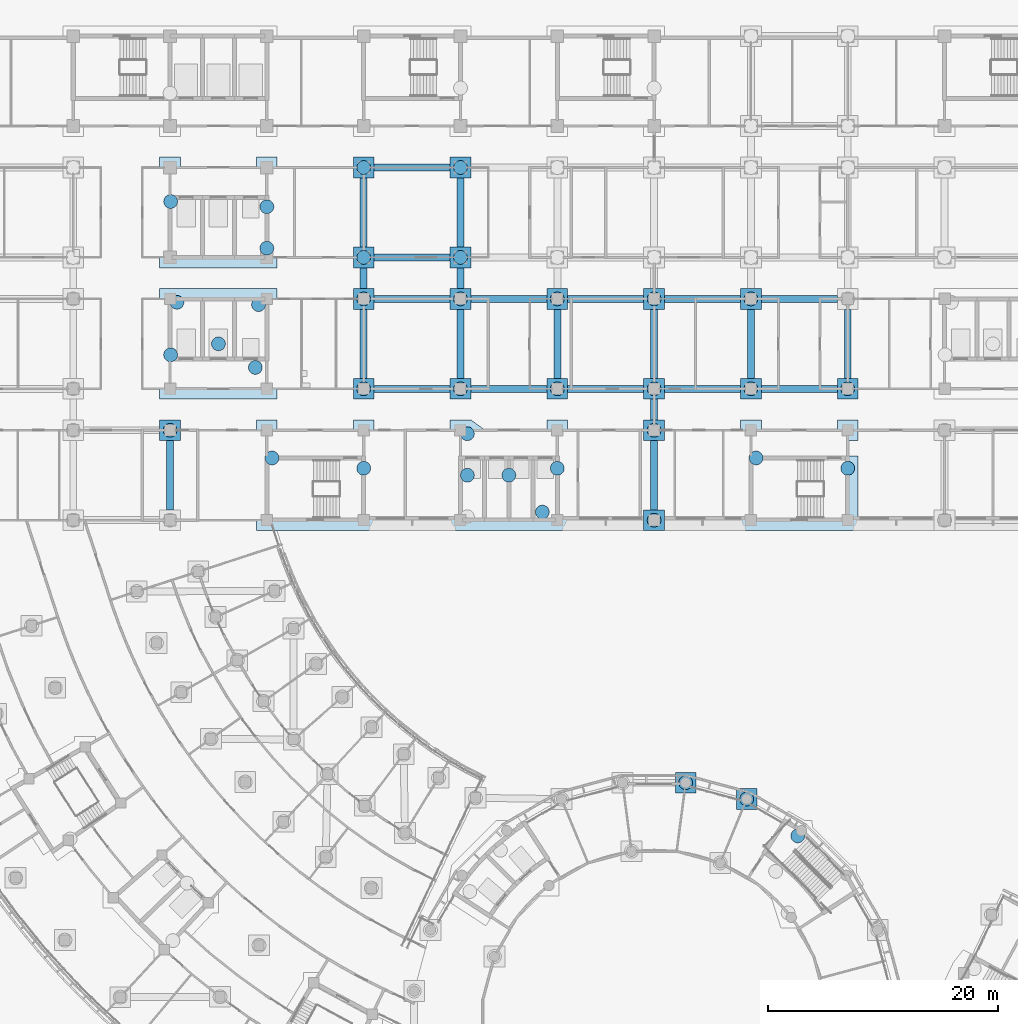
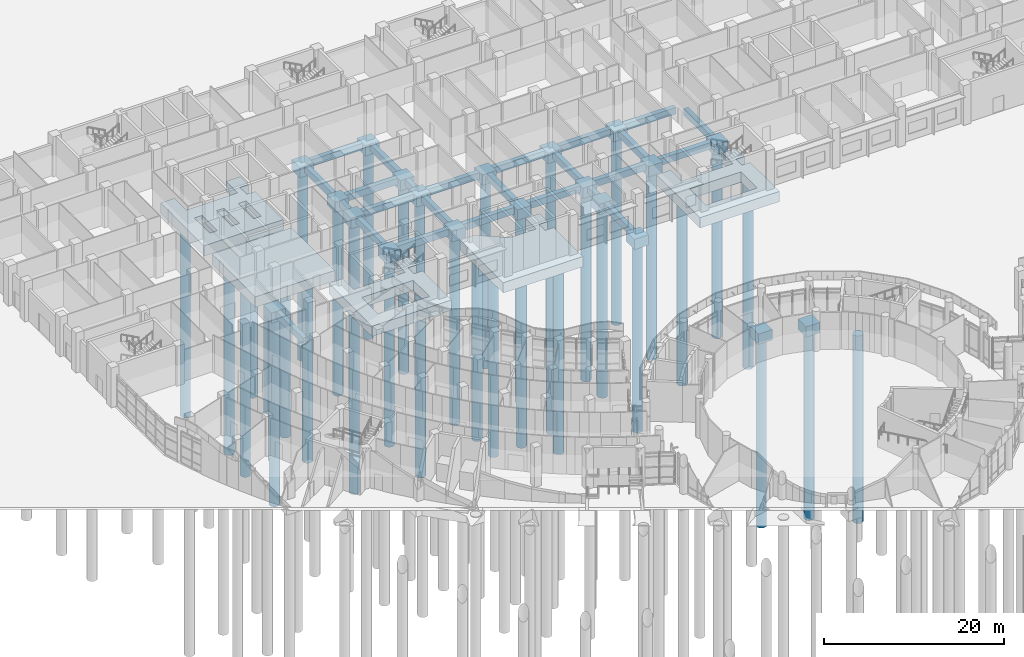
# One storey, part 5 of 146: 50 footings, 38 piles.
"""IFC4 building model written with IfcOpenShell, lengths in metres."""

from ifc_helpers import new_model, si_unit, direction, frame, origin, origin_2d, place, context, subcontext, project, spatial, polyline, rectangle, circle, outline, extrude, material, material_profile, profile_set, type_object, element, save


model = new_model("IFC4")

# Units and contexts
model_context = context("Model", 3, precision=1e-05, world=origin(), true_north=direction((0.0, 1.0)))
body_context = subcontext(model_context, "Body", "Model", "MODEL_VIEW")
ifc_project = project(units=[si_unit("LENGTHUNIT", "METRE"), si_unit("AREAUNIT", "SQUARE_METRE"), si_unit("VOLUMEUNIT", "CUBIC_METRE"), si_unit("PLANEANGLEUNIT", "RADIAN"), si_unit("MASSUNIT", "GRAM", prefix="KILO")], contexts=[model_context])

# Site, building, storey
site_placement = place(None, origin())
site = spatial("IfcSite", under=ifc_project, at=site_placement, CompositionType="ELEMENT")
building_placement = place(site_placement, origin())
building = spatial("IfcBuilding", under=site, at=building_placement, Name="Bougainvillea Quay General Hospital", CompositionType="ELEMENT")
storey_placement = place(building_placement, origin())
storey = spatial("IfcBuildingStorey", under=building, at=storey_placement, Name="L00", CompositionType="ELEMENT", Elevation=0.0)

# Piles
ifc_material_1 = material(Name="Concrete C40", Category="concrete")
ifc_material_profile_1 = material_profile(ifc_material_1, circle(Radius=0.60009765625, at=origin_2d()))
ifc_profile_set_1 = profile_set([ifc_material_profile_1], Name="Concrete C40")
pile_type = type_object("IfcPileType", Name="BORED PILE D1200 C40", PredefinedType="BORED", material=ifc_profile_set_1)
for number, where, z_axis, x_axis, name in (
    (1, (121.666259765625, 90.201904296875, -1.60009765625), (0.0, 0.0, -1.0), (1.0, 0.0, 0.0), "Bored pile 134-03"),
    (2, (117.236083984375, 93.40087890625, -1.60009765625), (0.0, 0.0, -1.0), (1.0, 0.0, 0.0), "Bored pile 146-01"),
    (3, (111.94091796875, 94.820068359375, -1.60009765625), (0.0, 0.0, -1.0), (1.0, 0.0, 0.0), "Bored pile 150-01"),
    (4, (109.199951171875, 117.60009765625, -1.60009765625), (0.0, 0.0, -1.0), (1.0, 0.0, 0.0), "Bored pile 184-01"),
    (5, (99.504638671875, 118.30322265625, -1.60009765625), (0.0, 0.0, -1.0), (1.0, 0.0, 0.0), "Bored pile 191-02"),
    (6, (93.0, 121.5, -1.60009765625), (0.0, 0.0, -1.0), (1.0, 0.0, 0.0), "Bored pile 191-03"),
    (7, (96.60009765625, 121.5, -1.60009765625), (0.0, 0.0, -1.0), (1.0, 0.0, 0.0), "Bored pile 191-04"),
    (8, (100.800048828125, 122.10009765625, -1.60009765625), (0.0, 0.0, -1.0), (1.0, 0.0, 0.0), "Bored pile 191-05"),
    (9, (93.0, 125.10009765625, -1.60009765625), (0.0, 0.0, -1.0), (1.0, 0.0, 0.0), "Bored pile 191-06"),
    (10, (84.0, 122.10009765625, -1.60009765625), (0.0, 0.0, -1.0), (1.0, 0.0, 0.0), "Bored pile 193-01"),
    (11, (76.050048828125, 123.0, -1.60009765625), (0.0, 0.0, -1.0), (1.0, 0.0, 0.0), "Bored pile 193-02"),
    (12, (126.0, 122.10009765625, -1.60009765625), (0.0, 0.0, -1.0), (1.0, 0.0, 0.0), "Bored pile 194-01"),
    (13, (118.050048828125, 123.0, -1.60009765625), (0.0, 0.0, -1.0), (1.0, 0.0, 0.0), "Bored pile 194-02"),
    (14, (67.199951171875, 125.39990234375, -1.60009765625), (0.0, 0.0, -1.0), (1.0, 0.0, 0.0), "Bored pile 198-01"),
    (15, (109.199951171875, 125.39990234375, -1.60009765625), (0.0, 0.0, -1.0), (1.0, 0.0, 0.0), "Bored pile 199-01"),
    (16, (84.0, 129.0, -1.60009765625), (0.0, 0.0, -1.0), (1.0, 0.0, 0.0), "Bored pile 207-01"),
    (17, (92.39990234375, 129.0, -1.60009765625), (0.0, 0.0, -1.0), (1.0, 0.0, 0.0), "Bored pile 208-01"),
    (18, (100.800048828125, 129.0, -1.60009765625), (0.0, 0.0, -1.0), (1.0, 0.0, 0.0), "Bored pile 209-01"),
    (19, (109.199951171875, 129.0, -1.60009765625), (0.0, 0.0, -1.0), (1.0, 0.0, 0.0), "Bored pile 210-01"),
    (20, (117.60009765625, 129.0, -1.60009765625), (0.0, 0.0, -1.0), (1.0, 0.0, 0.0), "Bored pile 211-01"),
    (21, (126.0, 129.0, -1.60009765625), (0.0, 0.0, -1.0), (1.0, 0.0, 0.0), "Bored pile 212-01"),
    (22, (74.60009765625, 130.85009765625, -1.60009765625), (0.0, 0.0, -1.0), (1.0, 0.0, 0.0), "Bored pile 219-01"),
    (23, (67.25, 131.949951171875, -1.60009765625), (0.0, 0.0, -1.0), (1.0, 0.0, 0.0), "Bored pile 219-02"),
    (24, (71.39990234375, 132.89990234375, -1.60009765625), (0.0, 0.0, -1.0), (1.0, 0.0, 0.0), "Bored pile 219-03"),
    (25, (74.878173828125, 136.300048828125, -1.60009765625), (0.0, 0.0, -1.0), (1.0, 0.0, 0.0), "Bored pile 219-04"),
    (26, (67.800048828125, 136.5, -1.60009765625), (0.0, 0.0, -1.0), (1.0, 0.0, 0.0), "Bored pile 219-05"),
    (27, (84.0, 136.800048828125, -1.60009765625), (0.0, 0.0, -1.0), (1.0, 0.0, 0.0), "Bored pile 224-01"),
    (28, (92.39990234375, 136.800048828125, -1.60009765625), (0.0, 0.0, -1.0), (1.0, 0.0, 0.0), "Bored pile 225-01"),
    (29, (100.800048828125, 136.800048828125, -1.60009765625), (0.0, 0.0, -1.0), (1.0, 0.0, 0.0), "Bored pile 226-01"),
    (30, (109.199951171875, 136.800048828125, -1.60009765625), (0.0, 0.0, -1.0), (1.0, 0.0, 0.0), "Bored pile 227-01"),
    (31, (117.60009765625, 136.800048828125, -1.60009765625), (0.0, 0.0, -1.0), (1.0, 0.0, 0.0), "Bored pile 228-01"),
    (32, (84.0, 140.39990234375, -1.60009765625), (0.0, 0.0, -1.0), (1.0, 0.0, 0.0), "Bored pile 239-01"),
    (33, (92.39990234375, 140.39990234375, -1.60009765625), (0.0, 0.0, -1.0), (1.0, 0.0, 0.0), "Bored pile 240-01"),
    (34, (75.60009765625, 141.199951171875, -1.60009765625), (0.0, 0.0, -1.0), (1.0, 0.0, 0.0), "Bored pile 251-01"),
    (35, (75.60009765625, 144.800048828125, -1.60009765625), (0.0, 0.0, -1.0), (1.0, 0.0, 0.0), "Bored pile 251-02"),
    (36, (67.25, 145.25, -1.60009765625), (0.0, 0.0, -1.0), (1.0, 0.0, 0.0), "Bored pile 251-03"),
    (37, (84.0, 148.199951171875, -1.60009765625), (0.0, 0.0, -1.0), (1.0, 0.0, 0.0), "Bored pile 256-01"),
    (38, (92.39990234375, 148.199951171875, -1.60009765625), (0.0, 0.0, -1.0), (1.0, 0.0, 0.0), "Bored pile 257-01"),
):
    element("IfcPile", number, at=place(storey_placement, frame(where, z_axis=z_axis, x_axis=x_axis)), inside=storey, type_object=pile_type, Name=name, PredefinedType="BORED", context=body_context, shape_type="SweptSolid", body=[
        extrude(circle(Radius=0.60009765625, at=origin_2d()), origin(), (0.0, 0.0, 1.0), 25.39990234375),
    ])

# Footings
ifc_material_2 = material(Name="Concrete C35", Category="concrete")
footing_type_1 = type_object("IfcFootingType", Name="PILE CAP 1P D1200 1800x1800x1400", PredefinedType="PILE_CAP", material=ifc_material_2)
footing_1_placement = place(storey_placement, frame((0.0, 0.0, -1.699951171875)))
element("IfcFooting", 39, at=footing_1_placement, inside=storey, type_object=footing_type_1, Name="Pile cap PC1 146", PredefinedType="PILE_CAP", context=body_context, shape_type="SweptSolid", body=[
    extrude(outline(polyline([(116.3359375, 92.5009765625), (118.135986328125, 92.5009765625), (118.135986328125, 94.301025390625), (116.3359375, 94.301025390625), (116.3359375, 92.5009765625)])), origin(), (0.0, 0.0, 1.0), 1.39990234375),
])
footing_2_placement = place(storey_placement, frame((0.0, 0.0, -1.699951171875)))
element("IfcFooting", 40, at=footing_2_placement, inside=storey, type_object=footing_type_1, Name="Pile cap PC1 150", PredefinedType="PILE_CAP", context=body_context, shape_type="SweptSolid", body=[
    extrude(outline(polyline([(111.041015625, 93.919921875), (112.841064453125, 93.919921875), (112.841064453125, 95.719970703125), (111.041015625, 95.719970703125), (111.041015625, 93.919921875)])), origin(), (0.0, 0.0, 1.0), 1.39990234375),
])
footing_3_placement = place(storey_placement, frame((0.0, 0.0, -1.699951171875)))
element("IfcFooting", 41, at=footing_3_placement, inside=storey, type_object=footing_type_1, Name="Pile cap PC1 184", PredefinedType="PILE_CAP", context=body_context, shape_type="SweptSolid", body=[
    extrude(outline(polyline([(108.300048828125, 116.699951171875), (110.10009765625, 116.699951171875), (110.10009765625, 118.5), (108.300048828125, 118.5), (108.300048828125, 116.699951171875)])), origin(), (0.0, 0.0, 1.0), 1.39990234375),
])
footing_4_placement = place(storey_placement, frame((0.0, 0.0, -1.699951171875)))
element("IfcFooting", 42, at=footing_4_placement, inside=storey, type_object=footing_type_1, Name="Pile cap PC1 198", PredefinedType="PILE_CAP", context=body_context, shape_type="SweptSolid", body=[
    extrude(outline(polyline([(66.300048828125, 124.5), (68.10009765625, 124.5), (68.10009765625, 126.300048828125), (66.300048828125, 126.300048828125), (66.300048828125, 124.5)])), origin(), (0.0, 0.0, 1.0), 1.39990234375),
])
footing_5_placement = place(storey_placement, frame((0.0, 0.0, -1.699951171875)))
element("IfcFooting", 43, at=footing_5_placement, inside=storey, type_object=footing_type_1, Name="Pile cap PC1 199", PredefinedType="PILE_CAP", context=body_context, shape_type="SweptSolid", body=[
    extrude(outline(polyline([(108.300048828125, 124.5), (110.10009765625, 124.5), (110.10009765625, 126.300048828125), (108.300048828125, 126.300048828125), (108.300048828125, 124.5)])), origin(), (0.0, 0.0, 1.0), 1.39990234375),
])
footing_6_placement = place(storey_placement, frame((0.0, 0.0, -1.699951171875)))
element("IfcFooting", 44, at=footing_6_placement, inside=storey, type_object=footing_type_1, Name="Pile cap PC1 207", PredefinedType="PILE_CAP", context=body_context, shape_type="SweptSolid", body=[
    extrude(outline(polyline([(83.10009765625, 128.10009765625), (84.89990234375, 128.10009765625), (84.89990234375, 129.89990234375), (83.10009765625, 129.89990234375), (83.10009765625, 128.10009765625)])), origin(), (0.0, 0.0, 1.0), 1.39990234375),
])
footing_7_placement = place(storey_placement, frame((0.0, 0.0, -1.699951171875)))
element("IfcFooting", 45, at=footing_7_placement, inside=storey, type_object=footing_type_1, Name="Pile cap PC1 208", PredefinedType="PILE_CAP", context=body_context, shape_type="SweptSolid", body=[
    extrude(outline(polyline([(91.5, 128.10009765625), (93.300048828125, 128.10009765625), (93.300048828125, 129.89990234375), (91.5, 129.89990234375), (91.5, 128.10009765625)])), origin(), (0.0, 0.0, 1.0), 1.39990234375),
])
footing_8_placement = place(storey_placement, frame((0.0, 0.0, -1.699951171875)))
element("IfcFooting", 46, at=footing_8_placement, inside=storey, type_object=footing_type_1, Name="Pile cap PC1 209", PredefinedType="PILE_CAP", context=body_context, shape_type="SweptSolid", body=[
    extrude(outline(polyline([(99.89990234375, 128.10009765625), (101.699951171875, 128.10009765625), (101.699951171875, 129.89990234375), (99.89990234375, 129.89990234375), (99.89990234375, 128.10009765625)])), origin(), (0.0, 0.0, 1.0), 1.39990234375),
])
footing_9_placement = place(storey_placement, frame((0.0, 0.0, -1.699951171875)))
element("IfcFooting", 47, at=footing_9_placement, inside=storey, type_object=footing_type_1, Name="Pile cap PC1 210", PredefinedType="PILE_CAP", context=body_context, shape_type="SweptSolid", body=[
    extrude(outline(polyline([(108.300048828125, 128.10009765625), (110.10009765625, 128.10009765625), (110.10009765625, 129.89990234375), (108.300048828125, 129.89990234375), (108.300048828125, 128.10009765625)])), origin(), (0.0, 0.0, 1.0), 1.39990234375),
])
footing_10_placement = place(storey_placement, frame((0.0, 0.0, -1.699951171875)))
element("IfcFooting", 48, at=footing_10_placement, inside=storey, type_object=footing_type_1, Name="Pile cap PC1 211", PredefinedType="PILE_CAP", context=body_context, shape_type="SweptSolid", body=[
    extrude(outline(polyline([(116.699951171875, 128.10009765625), (118.5, 128.10009765625), (118.5, 129.89990234375), (116.699951171875, 129.89990234375), (116.699951171875, 128.10009765625)])), origin(), (0.0, 0.0, 1.0), 1.39990234375),
])
footing_11_placement = place(storey_placement, frame((0.0, 0.0, -1.699951171875)))
element("IfcFooting", 49, at=footing_11_placement, inside=storey, type_object=footing_type_1, Name="Pile cap PC1 212", PredefinedType="PILE_CAP", context=body_context, shape_type="SweptSolid", body=[
    extrude(outline(polyline([(125.10009765625, 128.10009765625), (126.89990234375, 128.10009765625), (126.89990234375, 129.89990234375), (125.10009765625, 129.89990234375), (125.10009765625, 128.10009765625)])), origin(), (0.0, 0.0, 1.0), 1.39990234375),
])
footing_12_placement = place(storey_placement, frame((0.0, 0.0, -1.699951171875)))
element("IfcFooting", 50, at=footing_12_placement, inside=storey, type_object=footing_type_1, Name="Pile cap PC1 224", PredefinedType="PILE_CAP", context=body_context, shape_type="SweptSolid", body=[
    extrude(outline(polyline([(83.10009765625, 135.89990234375), (84.89990234375, 135.89990234375), (84.89990234375, 137.699951171875), (83.10009765625, 137.699951171875), (83.10009765625, 135.89990234375)])), origin(), (0.0, 0.0, 1.0), 1.39990234375),
])
footing_13_placement = place(storey_placement, frame((0.0, 0.0, -1.699951171875)))
element("IfcFooting", 51, at=footing_13_placement, inside=storey, type_object=footing_type_1, Name="Pile cap PC1 225", PredefinedType="PILE_CAP", context=body_context, shape_type="SweptSolid", body=[
    extrude(outline(polyline([(91.5, 135.89990234375), (93.300048828125, 135.89990234375), (93.300048828125, 137.699951171875), (91.5, 137.699951171875), (91.5, 135.89990234375)])), origin(), (0.0, 0.0, 1.0), 1.39990234375),
])
footing_14_placement = place(storey_placement, frame((0.0, 0.0, -1.699951171875)))
element("IfcFooting", 52, at=footing_14_placement, inside=storey, type_object=footing_type_1, Name="Pile cap PC1 226", PredefinedType="PILE_CAP", context=body_context, shape_type="SweptSolid", body=[
    extrude(outline(polyline([(99.89990234375, 135.89990234375), (101.699951171875, 135.89990234375), (101.699951171875, 137.699951171875), (99.89990234375, 137.699951171875), (99.89990234375, 135.89990234375)])), origin(), (0.0, 0.0, 1.0), 1.39990234375),
])
footing_15_placement = place(storey_placement, frame((0.0, 0.0, -1.699951171875)))
element("IfcFooting", 53, at=footing_15_placement, inside=storey, type_object=footing_type_1, Name="Pile cap PC1 227", PredefinedType="PILE_CAP", context=body_context, shape_type="SweptSolid", body=[
    extrude(outline(polyline([(108.300048828125, 135.89990234375), (110.10009765625, 135.89990234375), (110.10009765625, 137.699951171875), (108.300048828125, 137.699951171875), (108.300048828125, 135.89990234375)])), origin(), (0.0, 0.0, 1.0), 1.39990234375),
])
footing_16_placement = place(storey_placement, frame((0.0, 0.0, -1.699951171875)))
element("IfcFooting", 54, at=footing_16_placement, inside=storey, type_object=footing_type_1, Name="Pile cap PC1 228", PredefinedType="PILE_CAP", context=body_context, shape_type="SweptSolid", body=[
    extrude(outline(polyline([(116.699951171875, 135.89990234375), (118.5, 135.89990234375), (118.5, 137.699951171875), (116.699951171875, 137.699951171875), (116.699951171875, 135.89990234375)])), origin(), (0.0, 0.0, 1.0), 1.39990234375),
])
footing_17_placement = place(storey_placement, frame((0.0, 0.0, -1.699951171875)))
element("IfcFooting", 55, at=footing_17_placement, inside=storey, type_object=footing_type_1, Name="Pile cap PC1 239", PredefinedType="PILE_CAP", context=body_context, shape_type="SweptSolid", body=[
    extrude(outline(polyline([(83.10009765625, 139.5), (84.89990234375, 139.5), (84.89990234375, 141.300048828125), (83.10009765625, 141.300048828125), (83.10009765625, 139.5)])), origin(), (0.0, 0.0, 1.0), 1.39990234375),
])
footing_18_placement = place(storey_placement, frame((0.0, 0.0, -1.699951171875)))
element("IfcFooting", 56, at=footing_18_placement, inside=storey, type_object=footing_type_1, Name="Pile cap PC1 240", PredefinedType="PILE_CAP", context=body_context, shape_type="SweptSolid", body=[
    extrude(outline(polyline([(91.5, 139.5), (93.300048828125, 139.5), (93.300048828125, 141.300048828125), (91.5, 141.300048828125), (91.5, 139.5)])), origin(), (0.0, 0.0, 1.0), 1.39990234375),
])
footing_19_placement = place(storey_placement, frame((0.0, 0.0, -1.699951171875)))
element("IfcFooting", 57, at=footing_19_placement, inside=storey, type_object=footing_type_1, Name="Pile cap PC1 256", PredefinedType="PILE_CAP", context=body_context, shape_type="SweptSolid", body=[
    extrude(outline(polyline([(83.10009765625, 147.300048828125), (84.89990234375, 147.300048828125), (84.89990234375, 149.10009765625), (83.10009765625, 149.10009765625), (83.10009765625, 147.300048828125)])), origin(), (0.0, 0.0, 1.0), 1.39990234375),
])
footing_20_placement = place(storey_placement, frame((0.0, 0.0, -1.699951171875)))
element("IfcFooting", 58, at=footing_20_placement, inside=storey, type_object=footing_type_1, Name="Pile cap PC1 257", PredefinedType="PILE_CAP", context=body_context, shape_type="SweptSolid", body=[
    extrude(outline(polyline([(91.5, 147.300048828125), (93.300048828125, 147.300048828125), (93.300048828125, 149.10009765625), (91.5, 149.10009765625), (91.5, 147.300048828125)])), origin(), (0.0, 0.0, 1.0), 1.39990234375),
])
footing_type_2 = type_object("IfcFootingType", Name="PILE CAP 5P D1200 10200x9600x1400", PredefinedType="PILE_CAP", material=ifc_material_2)
footing_21_placement = place(storey_placement, frame((0.0, 0.0, -1.699951171875)))
element("IfcFooting", 59, at=footing_21_placement, inside=storey, type_object=footing_type_2, Name="Pile cap PC19 219", PredefinedType="PILE_CAP", context=body_context, shape_type="SweptSolid", body=[
    extrude(outline(polyline([(76.5, 137.699951171875), (76.5, 128.10009765625), (66.300048828125, 128.10009765625), (66.300048828125, 137.699951171875), (76.5, 137.699951171875)])), origin(), (0.0, 0.0, 1.0), 1.39990234375),
])
footing_type_3 = type_object("IfcFootingType", Name="PILE CAP RAFT 2P D1200 5690", PredefinedType="PILE_CAP", material=ifc_material_2)
footing_22_placement = place(storey_placement, frame((0.0, 0.0, -1.699951171875)))
element("IfcFooting", 60, at=footing_22_placement, inside=storey, type_object=footing_type_3, Name="Pile cap PC18 193", PredefinedType="PILE_CAP", context=body_context, shape_type="SweptSolid", body=[
    extrude(outline(polyline([(84.89990234375, 116.699951171875), (74.699951171875, 116.699951171875), (74.699951171875, 126.300048828125), (76.5, 126.300048828125), (76.5, 123.89990234375), (83.10009765625, 123.89990234375), (83.10009765625, 126.300048828125), (84.89990234375, 126.300048828125), (84.89990234375, 124.5), (83.824951171875, 124.5), (83.824951171875, 123.175048828125), (84.89990234375, 123.175048828125), (84.89990234375, 116.699951171875)]), holes=[polyline([(83.10009765625, 122.10009765625), (76.5, 122.10009765625), (76.5, 118.5), (83.10009765625, 118.5), (83.10009765625, 122.10009765625)])]), origin(), (0.0, 0.0, 1.0), 1.39990234375),
])
footing_23_placement = place(storey_placement, frame((0.0, 0.0, -1.699951171875)))
element("IfcFooting", 61, at=footing_23_placement, inside=storey, type_object=footing_type_3, Name="Pile cap PC18 194", PredefinedType="PILE_CAP", context=body_context, shape_type="SweptSolid", body=[
    extrude(outline(polyline([(126.89990234375, 116.699951171875), (116.699951171875, 116.699951171875), (116.699951171875, 126.300048828125), (118.5, 126.300048828125), (118.5, 123.89990234375), (125.10009765625, 123.89990234375), (125.10009765625, 126.300048828125), (126.89990234375, 126.300048828125), (126.89990234375, 124.5), (125.824951171875, 124.5), (125.824951171875, 123.175048828125), (126.89990234375, 123.175048828125), (126.89990234375, 116.699951171875)]), holes=[polyline([(125.10009765625, 122.10009765625), (118.5, 122.10009765625), (118.5, 118.5), (125.10009765625, 118.5), (125.10009765625, 122.10009765625)])]), origin(), (0.0, 0.0, 1.0), 1.39990234375),
])
footing_type_4 = type_object("IfcFootingType", Name="PILE CAP RAFT 3P D1200 6892", PredefinedType="PILE_CAP", material=ifc_material_2)
footing_24_placement = place(storey_placement, frame((0.0, 0.0, -1.699951171875)))
element("IfcFooting", 62, at=footing_24_placement, inside=storey, type_object=footing_type_4, Name="Pile cap PC20 251", PredefinedType="PILE_CAP", context=body_context, shape_type="SweptSolid", body=[
    extrude(outline(polyline([(76.5, 139.5), (66.300048828125, 139.5), (66.300048828125, 149.10009765625), (68.10009765625, 149.10009765625), (68.10009765625, 146.5), (74.699951171875, 146.5), (74.699951171875, 149.10009765625), (76.5, 149.10009765625), (76.5, 147.300048828125), (75.425048828125, 147.300048828125), (75.425048828125, 145.77490234375), (76.5, 145.77490234375), (76.5, 139.5)]), holes=[polyline([(74.699951171875, 144.699951171875), (73.699951171875, 144.699951171875), (73.699951171875, 141.300048828125), (74.699951171875, 141.300048828125), (74.699951171875, 144.699951171875)]), polyline([(71.89990234375, 141.300048828125), (71.89990234375, 144.699951171875), (70.89990234375, 144.699951171875), (70.89990234375, 141.300048828125), (71.89990234375, 141.300048828125)]), polyline([(69.10009765625, 141.300048828125), (69.10009765625, 144.699951171875), (68.10009765625, 144.699951171875), (68.10009765625, 141.300048828125), (69.10009765625, 141.300048828125)])]), origin(), (0.0, 0.0, 1.0), 1.39990234375),
])
footing_type_5 = type_object("IfcFootingType", Name="PILE CAP RAFT 6P D1200 8462", PredefinedType="PILE_CAP", material=ifc_material_2)
footing_25_placement = place(storey_placement, frame((0.0, 0.0, -1.699951171875)))
element("IfcFooting", 63, at=footing_25_placement, inside=storey, type_object=footing_type_5, Name="Pile cap PC17 191", PredefinedType="PILE_CAP", context=body_context, shape_type="SweptSolid", body=[
    extrude(outline(polyline([(101.699951171875, 116.699951171875), (91.5, 116.699951171875), (91.5, 126.300048828125), (93.300048828125, 126.300048828125), (96.60009765625, 123.89990234375), (99.89990234375, 123.89990234375), (99.89990234375, 126.300048828125), (101.699951171875, 126.300048828125), (101.699951171875, 124.5), (100.625, 124.5), (100.625, 123.175048828125), (101.699951171875, 123.175048828125), (101.699951171875, 116.699951171875)])), origin(), (0.0, 0.0, 1.0), 1.39990234375),
])
ifc_material_profile_2 = material_profile(ifc_material_2, rectangle(XDim=0.60009765625, YDim=0.89990234375, at=origin_2d()))
ifc_profile_set_2 = profile_set([ifc_material_profile_2], Name="Concrete C35")
footing_type_6 = type_object("IfcFootingType", Name="RC GROUND BEAM 600x900 C35", PredefinedType="FOOTING_BEAM", material=ifc_profile_set_2)
footing_26_placement = place(storey_placement, frame((0.0, 0.0, -1.199951171875)))
element("IfcFooting", 64, at=footing_26_placement, inside=storey, type_object=footing_type_6, Name="Ground beam 181", PredefinedType="FOOTING_BEAM", context=body_context, shape_type="SweptSolid", body=[
    extrude(outline(polyline([(66.89990234375, 118.5), (66.89990234375, 124.5), (67.5, 124.5), (67.5, 118.5), (66.89990234375, 118.5)])), origin(), (0.0, 0.0, 1.0), 0.89990234375),
])
footing_27_placement = place(storey_placement, frame((0.0, 0.0, -1.199951171875)))
element("IfcFooting", 65, at=footing_27_placement, inside=storey, type_object=footing_type_6, Name="Ground beam 183", PredefinedType="FOOTING_BEAM", context=body_context, shape_type="SweptSolid", body=[
    extrude(outline(polyline([(108.89990234375, 118.5), (108.89990234375, 124.5), (109.5, 124.5), (109.5, 118.5), (108.89990234375, 118.5)])), origin(), (0.0, 0.0, 1.0), 0.89990234375),
])
footing_28_placement = place(storey_placement, frame((0.0, 0.0, -1.199951171875)))
element("IfcFooting", 66, at=footing_28_placement, inside=storey, type_object=footing_type_6, Name="Ground beam 204", PredefinedType="FOOTING_BEAM", context=body_context, shape_type="SweptSolid", body=[
    extrude(outline(polyline([(108.89990234375, 126.300048828125), (108.89990234375, 128.10009765625), (109.5, 128.10009765625), (109.5, 126.300048828125), (108.89990234375, 126.300048828125)])), origin(), (0.0, 0.0, 1.0), 0.89990234375),
])
footing_29_placement = place(storey_placement, frame((0.0, 0.0, -1.199951171875)))
element("IfcFooting", 67, at=footing_29_placement, inside=storey, type_object=footing_type_6, Name="Ground beam 218", PredefinedType="FOOTING_BEAM", context=body_context, shape_type="SweptSolid", body=[
    extrude(outline(polyline([(84.89990234375, 129.300048828125), (91.5, 129.300048828125), (91.5, 128.699951171875), (84.89990234375, 128.699951171875), (84.89990234375, 129.300048828125)])), origin(), (0.0, 0.0, 1.0), 0.89990234375),
])
footing_30_placement = place(storey_placement, frame((0.0, 0.0, -1.199951171875)))
element("IfcFooting", 68, at=footing_30_placement, inside=storey, type_object=footing_type_6, Name="Ground beam 219", PredefinedType="FOOTING_BEAM", context=body_context, shape_type="SweptSolid", body=[
    extrude(outline(polyline([(83.699951171875, 129.89990234375), (83.699951171875, 135.89990234375), (84.300048828125, 135.89990234375), (84.300048828125, 129.89990234375), (83.699951171875, 129.89990234375)])), origin(), (0.0, 0.0, 1.0), 0.89990234375),
])
footing_31_placement = place(storey_placement, frame((0.0, 0.0, -1.199951171875)))
element("IfcFooting", 69, at=footing_31_placement, inside=storey, type_object=footing_type_6, Name="Ground beam 220", PredefinedType="FOOTING_BEAM", context=body_context, shape_type="SweptSolid", body=[
    extrude(outline(polyline([(93.300048828125, 129.300048828125), (99.89990234375, 129.300048828125), (99.89990234375, 128.699951171875), (93.300048828125, 128.699951171875), (93.300048828125, 129.300048828125)])), origin(), (0.0, 0.0, 1.0), 0.89990234375),
])
footing_32_placement = place(storey_placement, frame((0.0, 0.0, -1.199951171875)))
element("IfcFooting", 70, at=footing_32_placement, inside=storey, type_object=footing_type_6, Name="Ground beam 221", PredefinedType="FOOTING_BEAM", context=body_context, shape_type="SweptSolid", body=[
    extrude(outline(polyline([(92.10009765625, 129.89990234375), (92.10009765625, 135.89990234375), (92.699951171875, 135.89990234375), (92.699951171875, 129.89990234375), (92.10009765625, 129.89990234375)])), origin(), (0.0, 0.0, 1.0), 0.89990234375),
])
footing_33_placement = place(storey_placement, frame((0.0, 0.0, -1.199951171875)))
element("IfcFooting", 71, at=footing_33_placement, inside=storey, type_object=footing_type_6, Name="Ground beam 222", PredefinedType="FOOTING_BEAM", context=body_context, shape_type="SweptSolid", body=[
    extrude(outline(polyline([(101.699951171875, 129.300048828125), (108.300048828125, 129.300048828125), (108.300048828125, 128.699951171875), (101.699951171875, 128.699951171875), (101.699951171875, 129.300048828125)])), origin(), (0.0, 0.0, 1.0), 0.89990234375),
])
footing_34_placement = place(storey_placement, frame((0.0, 0.0, -1.199951171875)))
element("IfcFooting", 72, at=footing_34_placement, inside=storey, type_object=footing_type_6, Name="Ground beam 223", PredefinedType="FOOTING_BEAM", context=body_context, shape_type="SweptSolid", body=[
    extrude(outline(polyline([(100.5, 129.89990234375), (100.5, 135.89990234375), (101.10009765625, 135.89990234375), (101.10009765625, 129.89990234375), (100.5, 129.89990234375)])), origin(), (0.0, 0.0, 1.0), 0.89990234375),
])
footing_35_placement = place(storey_placement, frame((0.0, 0.0, -1.199951171875)))
element("IfcFooting", 73, at=footing_35_placement, inside=storey, type_object=footing_type_6, Name="Ground beam 224", PredefinedType="FOOTING_BEAM", context=body_context, shape_type="SweptSolid", body=[
    extrude(outline(polyline([(110.10009765625, 129.300048828125), (116.699951171875, 129.300048828125), (116.699951171875, 128.699951171875), (110.10009765625, 128.699951171875), (110.10009765625, 129.300048828125)])), origin(), (0.0, 0.0, 1.0), 0.89990234375),
])
footing_36_placement = place(storey_placement, frame((0.0, 0.0, -1.199951171875)))
element("IfcFooting", 74, at=footing_36_placement, inside=storey, type_object=footing_type_6, Name="Ground beam 225", PredefinedType="FOOTING_BEAM", context=body_context, shape_type="SweptSolid", body=[
    extrude(outline(polyline([(108.89990234375, 129.89990234375), (108.89990234375, 135.89990234375), (109.5, 135.89990234375), (109.5, 129.89990234375), (108.89990234375, 129.89990234375)])), origin(), (0.0, 0.0, 1.0), 0.89990234375),
])
footing_37_placement = place(storey_placement, frame((0.0, 0.0, -1.199951171875)))
element("IfcFooting", 75, at=footing_37_placement, inside=storey, type_object=footing_type_6, Name="Ground beam 226", PredefinedType="FOOTING_BEAM", context=body_context, shape_type="SweptSolid", body=[
    extrude(outline(polyline([(118.5, 129.300048828125), (125.10009765625, 129.300048828125), (125.10009765625, 128.699951171875), (118.5, 128.699951171875), (118.5, 129.300048828125)])), origin(), (0.0, 0.0, 1.0), 0.89990234375),
])
footing_38_placement = place(storey_placement, frame((0.0, 0.0, -1.199951171875)))
element("IfcFooting", 76, at=footing_38_placement, inside=storey, type_object=footing_type_6, Name="Ground beam 227", PredefinedType="FOOTING_BEAM", context=body_context, shape_type="SweptSolid", body=[
    extrude(outline(polyline([(117.300048828125, 129.89990234375), (117.300048828125, 135.89990234375), (117.89990234375, 135.89990234375), (117.89990234375, 129.89990234375), (117.300048828125, 129.89990234375)])), origin(), (0.0, 0.0, 1.0), 0.89990234375),
])
footing_39_placement = place(storey_placement, frame((0.0, 0.0, -1.199951171875)))
element("IfcFooting", 77, at=footing_39_placement, inside=storey, type_object=footing_type_6, Name="Ground beam 229", PredefinedType="FOOTING_BEAM", context=body_context, shape_type="SweptSolid", body=[
    extrude(outline(polyline([(125.699951171875, 129.89990234375), (125.699951171875, 135.89990234375), (126.300048828125, 135.89990234375), (126.300048828125, 129.89990234375), (125.699951171875, 129.89990234375)])), origin(), (0.0, 0.0, 1.0), 0.89990234375),
])
footing_40_placement = place(storey_placement, frame((0.0, 0.0, -1.199951171875)))
element("IfcFooting", 78, at=footing_40_placement, inside=storey, type_object=footing_type_6, Name="Ground beam 249", PredefinedType="FOOTING_BEAM", context=body_context, shape_type="SweptSolid", body=[
    extrude(outline(polyline([(84.89990234375, 137.10009765625), (91.5, 137.10009765625), (91.5, 136.5), (84.89990234375, 136.5), (84.89990234375, 137.10009765625)])), origin(), (0.0, 0.0, 1.0), 0.89990234375),
])
footing_41_placement = place(storey_placement, frame((0.0, 0.0, -1.199951171875)))
element("IfcFooting", 79, at=footing_41_placement, inside=storey, type_object=footing_type_6, Name="Ground beam 250", PredefinedType="FOOTING_BEAM", context=body_context, shape_type="SweptSolid", body=[
    extrude(outline(polyline([(83.699951171875, 137.699951171875), (83.699951171875, 139.5), (84.300048828125, 139.5), (84.300048828125, 137.699951171875), (83.699951171875, 137.699951171875)])), origin(), (0.0, 0.0, 1.0), 0.89990234375),
])
footing_42_placement = place(storey_placement, frame((0.0, 0.0, -1.199951171875)))
element("IfcFooting", 80, at=footing_42_placement, inside=storey, type_object=footing_type_6, Name="Ground beam 251", PredefinedType="FOOTING_BEAM", context=body_context, shape_type="SweptSolid", body=[
    extrude(outline(polyline([(93.300048828125, 137.10009765625), (99.89990234375, 137.10009765625), (99.89990234375, 136.5), (93.300048828125, 136.5), (93.300048828125, 137.10009765625)])), origin(), (0.0, 0.0, 1.0), 0.89990234375),
])
footing_43_placement = place(storey_placement, frame((0.0, 0.0, -1.199951171875)))
element("IfcFooting", 81, at=footing_43_placement, inside=storey, type_object=footing_type_6, Name="Ground beam 252", PredefinedType="FOOTING_BEAM", context=body_context, shape_type="SweptSolid", body=[
    extrude(outline(polyline([(92.10009765625, 137.699951171875), (92.10009765625, 139.5), (92.699951171875, 139.5), (92.699951171875, 137.699951171875), (92.10009765625, 137.699951171875)])), origin(), (0.0, 0.0, 1.0), 0.89990234375),
])
footing_44_placement = place(storey_placement, frame((0.0, 0.0, -1.199951171875)))
element("IfcFooting", 82, at=footing_44_placement, inside=storey, type_object=footing_type_6, Name="Ground beam 253", PredefinedType="FOOTING_BEAM", context=body_context, shape_type="SweptSolid", body=[
    extrude(outline(polyline([(101.699951171875, 137.10009765625), (108.300048828125, 137.10009765625), (108.300048828125, 136.5), (101.699951171875, 136.5), (101.699951171875, 137.10009765625)])), origin(), (0.0, 0.0, 1.0), 0.89990234375),
])
footing_45_placement = place(storey_placement, frame((0.0, 0.0, -1.199951171875)))
element("IfcFooting", 83, at=footing_45_placement, inside=storey, type_object=footing_type_6, Name="Ground beam 255", PredefinedType="FOOTING_BEAM", context=body_context, shape_type="SweptSolid", body=[
    extrude(outline(polyline([(110.10009765625, 137.10009765625), (116.699951171875, 137.10009765625), (116.699951171875, 136.5), (110.10009765625, 136.5), (110.10009765625, 137.10009765625)])), origin(), (0.0, 0.0, 1.0), 0.89990234375),
])
footing_46_placement = place(storey_placement, frame((0.0, 0.0, -1.199951171875)))
element("IfcFooting", 84, at=footing_46_placement, inside=storey, type_object=footing_type_6, Name="Ground beam 257", PredefinedType="FOOTING_BEAM", context=body_context, shape_type="SweptSolid", body=[
    extrude(outline(polyline([(118.5, 137.10009765625), (125.10009765625, 137.10009765625), (125.10009765625, 136.5), (118.5, 136.5), (118.5, 137.10009765625)])), origin(), (0.0, 0.0, 1.0), 0.89990234375),
])
footing_47_placement = place(storey_placement, frame((0.0, 0.0, -1.199951171875)))
element("IfcFooting", 85, at=footing_47_placement, inside=storey, type_object=footing_type_6, Name="Ground beam 276", PredefinedType="FOOTING_BEAM", context=body_context, shape_type="SweptSolid", body=[
    extrude(outline(polyline([(84.89990234375, 140.699951171875), (91.5, 140.699951171875), (91.5, 140.10009765625), (84.89990234375, 140.10009765625), (84.89990234375, 140.699951171875)])), origin(), (0.0, 0.0, 1.0), 0.89990234375),
])
footing_48_placement = place(storey_placement, frame((0.0, 0.0, -1.199951171875)))
element("IfcFooting", 86, at=footing_48_placement, inside=storey, type_object=footing_type_6, Name="Ground beam 277", PredefinedType="FOOTING_BEAM", context=body_context, shape_type="SweptSolid", body=[
    extrude(outline(polyline([(83.699951171875, 141.300048828125), (83.699951171875, 147.300048828125), (84.300048828125, 147.300048828125), (84.300048828125, 141.300048828125), (83.699951171875, 141.300048828125)])), origin(), (0.0, 0.0, 1.0), 0.89990234375),
])
footing_49_placement = place(storey_placement, frame((0.0, 0.0, -1.199951171875)))
element("IfcFooting", 87, at=footing_49_placement, inside=storey, type_object=footing_type_6, Name="Ground beam 279", PredefinedType="FOOTING_BEAM", context=body_context, shape_type="SweptSolid", body=[
    extrude(outline(polyline([(92.10009765625, 141.300048828125), (92.10009765625, 147.300048828125), (92.699951171875, 147.300048828125), (92.699951171875, 141.300048828125), (92.10009765625, 141.300048828125)])), origin(), (0.0, 0.0, 1.0), 0.89990234375),
])
footing_50_placement = place(storey_placement, frame((0.0, 0.0, -1.199951171875)))
element("IfcFooting", 88, at=footing_50_placement, inside=storey, type_object=footing_type_6, Name="Ground beam 303", PredefinedType="FOOTING_BEAM", context=body_context, shape_type="SweptSolid", body=[
    extrude(outline(polyline([(84.89990234375, 148.5), (91.5, 148.5), (91.5, 147.89990234375), (84.89990234375, 147.89990234375), (84.89990234375, 148.5)])), origin(), (0.0, 0.0, 1.0), 0.89990234375),
])

save(model, "model.ifc")
